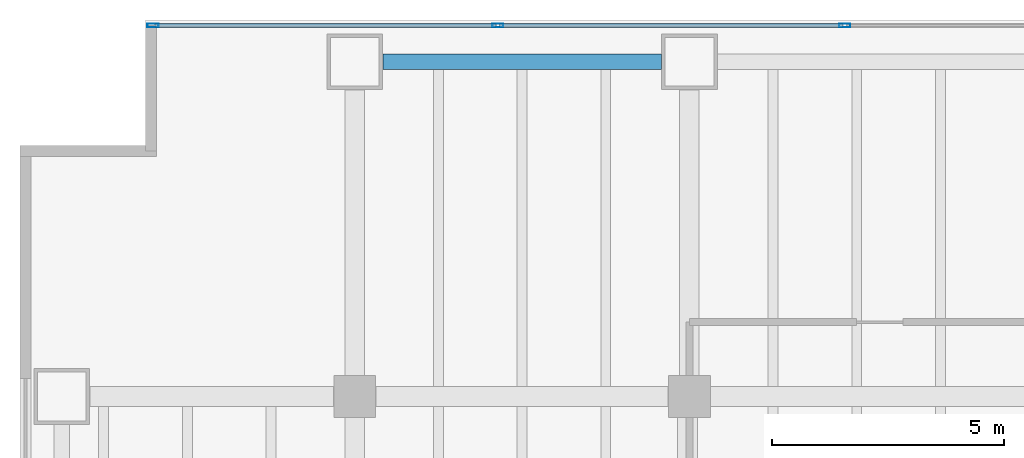
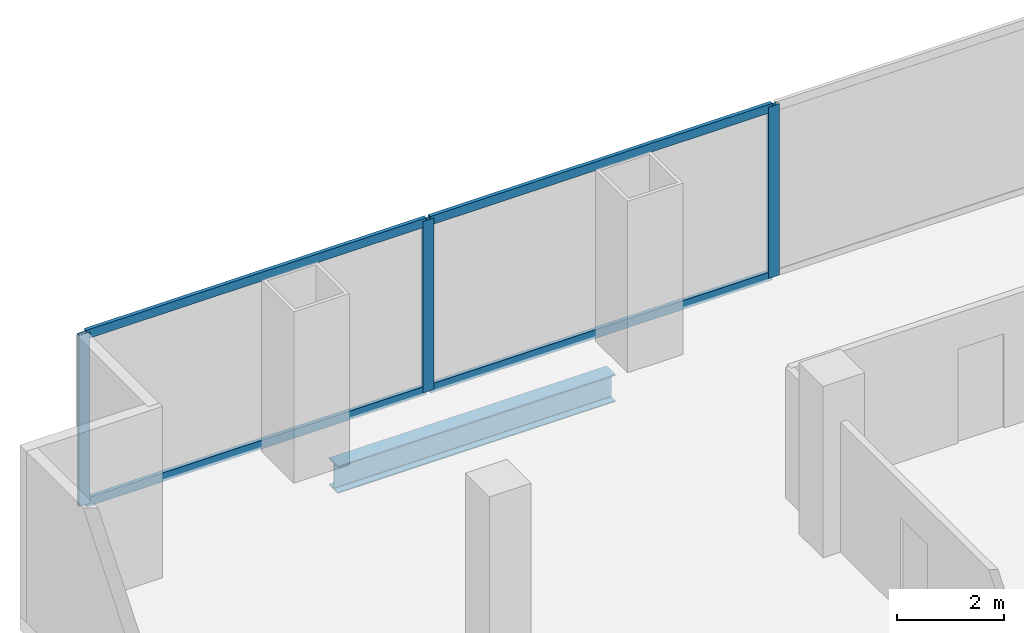
# One storey, part 11 of 29: 7 members, 1 beam, 1 element without a shape of its own.
"""IFC4 building model written with IfcOpenShell, lengths in metres."""

from ifc_helpers import new_model, si_unit, direction, frame, origin, origin_2d, place, context, subcontext, project, spatial, hollow_rectangle, i_section, extrude, material, material_profile, profile_set, type_object, element, aggregate, save


model = new_model("IFC4")

# Units and contexts
model_context = context("Model", 3, precision=1e-05, world=origin(), true_north=direction((0.0, 1.0)))
body_context = subcontext(model_context, "Body", "Model", "MODEL_VIEW")
ifc_project = project(units=[si_unit("LENGTHUNIT", "METRE"), si_unit("AREAUNIT", "SQUARE_METRE"), si_unit("VOLUMEUNIT", "CUBIC_METRE"), si_unit("PLANEANGLEUNIT", "RADIAN"), si_unit("MASSUNIT", "GRAM", prefix="KILO")], contexts=[model_context])

# Site, building, storey
site_placement = place(None, origin())
site = spatial("IfcSite", under=ifc_project, at=site_placement, CompositionType="ELEMENT")
building_placement = place(site_placement, origin())
building = spatial("IfcBuilding", under=site, at=building_placement, Name="Cobrela Telecom Tower", CompositionType="ELEMENT")
storey_placement = place(building_placement, frame((0.0, 0.0, 13.64990234375)))
storey = spatial("IfcBuildingStorey", under=building, at=storey_placement, Name="L03", CompositionType="ELEMENT", Elevation=13.64990234375)

# Beam
ifc_material_1 = material(Name="Steel ASTM A992 Grade 50", Category="steel")
ifc_material_profile_1 = material_profile(ifc_material_1, i_section(OverallWidth=0.327880859375, OverallDepth=0.6220703125, WebThickness=0.015380859375, FlangeThickness=0.0244140625, FilletRadius=0.014892578125, at=origin_2d()), Name="W24X131")
ifc_profile_set_1 = profile_set([ifc_material_profile_1], Name="Steel ASTM A992 Grade 50")
beam_type = type_object("IfcBeamType", Name="BM-SPAND-01", PredefinedType="SPANDREL", material=ifc_profile_set_1)
beam_placement = place(storey_placement, frame((7.804931640625, 49.5, -0.61083984375), z_axis=(1.0, 0.0, 0.0), x_axis=(0.0, 1.0, 0.0)))
element("IfcBeam", 1, at=beam_placement, inside=storey, type_object=beam_type, Name="L03 Perimeter Spandrel X52", PredefinedType="SPANDREL", context=body_context, shape_type="SweptSolid", body=[
    extrude(i_section(OverallWidth=0.327880859375, OverallDepth=0.6220703125, WebThickness=0.015380859375, FlangeThickness=0.0244140625, FilletRadius=0.014892578125, at=origin_2d()), origin(), (0.0, 0.0, 1.0), 5.989990234375),
])

# Curtain wall, members
ifc_material_2 = material(Name="Anodized Bronze Aluminium 6063-T6", Category="aluminium")
curtain_wall_type = type_object("IfcCurtainWallType", Name="CW-SYS-CONC", PredefinedType="USERDEFINED", material=ifc_material_2)
curtain_wall_placement = place(storey_placement, origin())
curtain_wall = element("IfcCurtainWall", 2, at=curtain_wall_placement, inside=storey, type_object=curtain_wall_type, Name="L03 Unitised Bronze Curtain Wall 07", ObjectType="UNITISED CURTAIN WALL", PredefinedType="USERDEFINED")
ifc_material_profile_2 = material_profile(ifc_material_2, hollow_rectangle(XDim=0.080078125, YDim=0.239990234375, WallThickness=0.0048828125, at=origin_2d()), Name="ALU 80x240x5")
ifc_profile_set_2 = profile_set([ifc_material_profile_2], Name="Anodized Bronze Aluminium 6063-T6")
member_type_1 = type_object("IfcMemberType", Name="CW-SYS-CONC-MUL", PredefinedType="MULLION", material=ifc_profile_set_2)
member_1_placement = place(storey_placement, frame((2.860107421875, 50.280029296875, 0.0), z_axis=(0.0, 0.0, 1.0), x_axis=(0.0, 1.0, 0.0)))
member_1 = element("IfcMember", 3, at=member_1_placement, type_object=member_type_1, Name="CW-CONC mullion 1", PredefinedType="MULLION", context=body_context, shape_type="SweptSolid", body=[
    extrude(hollow_rectangle(XDim=0.080078125, YDim=0.239990234375, WallThickness=0.0048828125, at=origin_2d()), origin(), (0.0, 0.0, 1.0), 3.91015625),
])
member_2_placement = place(storey_placement, frame((10.280029296875, 50.280029296875, 0.0), z_axis=(0.0, 0.0, 1.0), x_axis=(0.0, 1.0, 0.0)))
member_2 = element("IfcMember", 4, at=member_2_placement, type_object=member_type_1, Name="CW-CONC mullion 2", PredefinedType="MULLION", context=body_context, shape_type="SweptSolid", body=[
    extrude(hollow_rectangle(XDim=0.080078125, YDim=0.239990234375, WallThickness=0.0048828125, at=origin_2d()), origin(), (0.0, 0.0, 1.0), 3.91015625),
])
member_3_placement = place(storey_placement, frame((17.739990234375, 50.280029296875, 0.0), z_axis=(0.0, 0.0, 1.0), x_axis=(0.0, 1.0, 0.0)))
member_3 = element("IfcMember", 5, at=member_3_placement, type_object=member_type_1, Name="CW-CONC mullion 3", PredefinedType="MULLION", context=body_context, shape_type="SweptSolid", body=[
    extrude(hollow_rectangle(XDim=0.080078125, YDim=0.239990234375, WallThickness=0.0048828125, at=origin_2d()), origin(), (0.0, 0.0, 1.0), 3.91015625),
])
ifc_material_profile_3 = material_profile(ifc_material_2, hollow_rectangle(XDim=0.080078125, YDim=0.199951171875, WallThickness=0.00390625, at=origin_2d()), Name="ALU 80x200x4")
ifc_profile_set_3 = profile_set([ifc_material_profile_3], Name="Anodized Bronze Aluminium 6063-T6")
member_type_2 = type_object("IfcMemberType", Name="CW-SYS-CONC-TRN", PredefinedType="USERDEFINED", material=ifc_profile_set_3)
member_4_placement = place(storey_placement, frame((2.89990234375, 50.280029296875, 0.0400390625), z_axis=(1.0, 0.0, 0.0), x_axis=(0.0, 1.0, 0.0)))
member_4 = element("IfcMember", 6, at=member_4_placement, type_object=member_type_2, Name="CW-CONC transom 1.1", ObjectType="TRANSOM", PredefinedType="USERDEFINED", context=body_context, shape_type="SweptSolid", body=[
    extrude(hollow_rectangle(XDim=0.080078125, YDim=0.199951171875, WallThickness=0.00390625, at=origin_2d()), origin(), (0.0, 0.0, 1.0), 7.340087890625),
])
member_5_placement = place(storey_placement, frame((2.89990234375, 50.280029296875, 3.8701171875), z_axis=(1.0, 0.0, 0.0), x_axis=(0.0, 1.0, 0.0)))
member_5 = element("IfcMember", 7, at=member_5_placement, type_object=member_type_2, Name="CW-CONC transom 1.2", ObjectType="TRANSOM", PredefinedType="USERDEFINED", context=body_context, shape_type="SweptSolid", body=[
    extrude(hollow_rectangle(XDim=0.080078125, YDim=0.199951171875, WallThickness=0.00390625, at=origin_2d()), origin(), (0.0, 0.0, 1.0), 7.340087890625),
])
member_6_placement = place(storey_placement, frame((10.320068359375, 50.280029296875, 0.0400390625), z_axis=(1.0, 0.0, 0.0), x_axis=(0.0, 1.0, 0.0)))
member_6 = element("IfcMember", 8, at=member_6_placement, type_object=member_type_2, Name="CW-CONC transom 2.1", ObjectType="TRANSOM", PredefinedType="USERDEFINED", context=body_context, shape_type="SweptSolid", body=[
    extrude(hollow_rectangle(XDim=0.080078125, YDim=0.199951171875, WallThickness=0.00390625, at=origin_2d()), origin(), (0.0, 0.0, 1.0), 7.3798828125),
])
member_7_placement = place(storey_placement, frame((10.320068359375, 50.280029296875, 3.8701171875), z_axis=(1.0, 0.0, 0.0), x_axis=(0.0, 1.0, 0.0)))
member_7 = element("IfcMember", 9, at=member_7_placement, type_object=member_type_2, Name="CW-CONC transom 2.2", ObjectType="TRANSOM", PredefinedType="USERDEFINED", context=body_context, shape_type="SweptSolid", body=[
    extrude(hollow_rectangle(XDim=0.080078125, YDim=0.199951171875, WallThickness=0.00390625, at=origin_2d()), origin(), (0.0, 0.0, 1.0), 7.3798828125),
])
aggregate(curtain_wall, [member_1, member_2, member_3, member_4, member_5, member_6, member_7])

save(model, "model.ifc")
